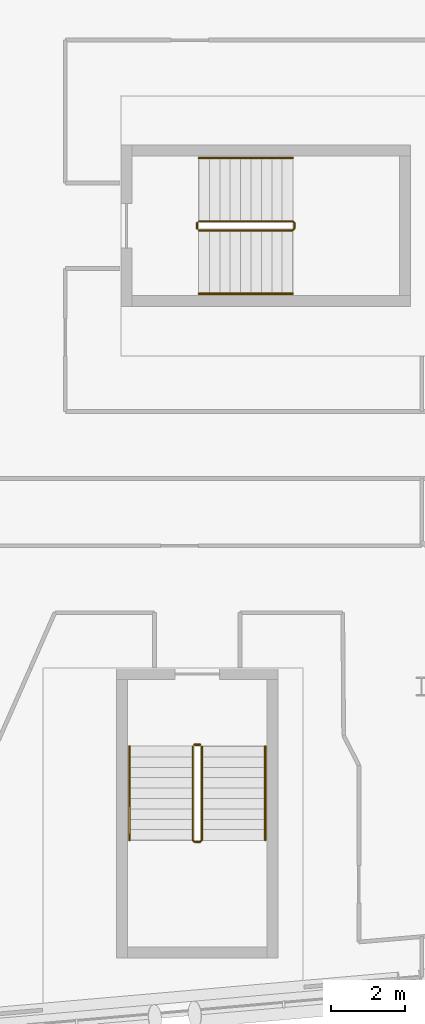
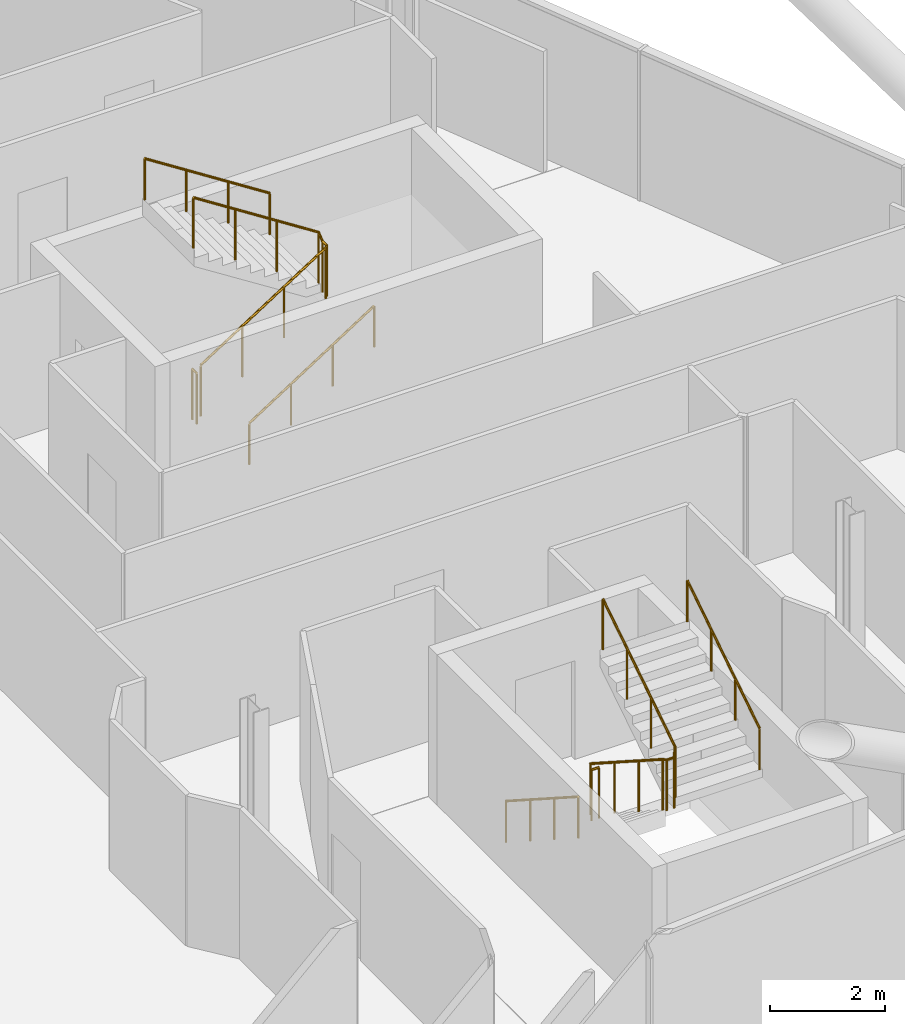
# One storey, part 26 of 27: 8 railings.
"""IFC4 building model written with IfcOpenShell, lengths in metres."""

from ifc_helpers import new_model, si_unit, direction, frame, origin, origin_2d, place, context, subcontext, project, spatial, circle, extrude, material, type_object, element, save


model = new_model("IFC4")

# Units and contexts
model_context = context("Model", 3, precision=1e-05, world=origin(), true_north=direction((0.0, 1.0)))
body_context = subcontext(model_context, "Body", "Model", "MODEL_VIEW")
ifc_project = project(units=[si_unit("LENGTHUNIT", "METRE"), si_unit("AREAUNIT", "SQUARE_METRE"), si_unit("VOLUMEUNIT", "CUBIC_METRE"), si_unit("PLANEANGLEUNIT", "RADIAN"), si_unit("MASSUNIT", "GRAM", prefix="KILO")], contexts=[model_context])

# Site, building, storey
site_placement = place(None, origin())
site = spatial("IfcSite", under=ifc_project, at=site_placement, CompositionType="ELEMENT")
building_placement = place(site_placement, origin())
building = spatial("IfcBuilding", under=site, at=building_placement, Name="Wharfspan Tower", CompositionType="ELEMENT")
storey_placement = place(building_placement, frame((0.0, 0.0, 191.5)))
storey = spatial("IfcBuildingStorey", under=building, at=storey_placement, Name="L47", CompositionType="ELEMENT", Elevation=191.5)

# Railings
ifc_material = material(Name="Steel S355J2", Category="steel")
railing_type_1 = type_object("IfcRailingType", Name="Stair guard 1100", PredefinedType="GUARDRAIL", material=ifc_material)
railing_1_placement = place(storey_placement, frame((65.836426, 9.883789, 0.179932)))
element("IfcRailing", 1, at=railing_1_placement, inside=storey, type_object=railing_type_1, Name="L47 ST5 stair guard 1", PredefinedType="GUARDRAIL", context=body_context, shape_type="SweptSolid", body=[
    extrude(circle(Radius=0.023926, at=origin_2d()), frame((0.0, 0.0, 1.076172), z_axis=(0.0, -0.841163, 0.540782), x_axis=(1.0, 0.0, 0.0)), (0.0, 0.0, 1.0), 2.99585),
    extrude(circle(Radius=0.023926, at=origin_2d()), frame((0.0, -2.52002, 2.696289), z_axis=(0.705376, -0.708834, 0.0), x_axis=(0.708834, 0.705376, 0.0)), (0.0, 0.0, 1.0), 0.070557),
    extrude(circle(Radius=0.023926, at=origin_2d()), frame((0.049805, -2.570068, 2.696289), z_axis=(1.0, 0.0, 0.0), x_axis=(0.0, 1.0, 0.0)), (0.0, 0.0, 1.0), 0.150146),
    extrude(circle(Radius=0.023926, at=origin_2d()), frame((0.199951, -2.570068, 2.696289), z_axis=(0.258848, 0.258848, 0.930589), x_axis=(-0.707107, 0.707107, 0.0)), (0.0, 0.0, 1.0), 0.193359),
    extrude(circle(Radius=0.023926, at=origin_2d()), frame((0.25, -2.52002, 2.875977), z_axis=(0.0, 0.841163, 0.540782), x_axis=(-1.0, 0.0, 0.0)), (0.0, 0.0, 1.0), 2.99585),
    extrude(circle(Radius=0.020996, at=origin_2d()), origin(), (0.0, 0.0, 1.0), 1.052002),
    extrude(circle(Radius=0.020996, at=origin_2d()), frame((0.0, -0.840088, 0.540039)), (0.0, 0.0, 1.0), 1.052002),
    extrude(circle(Radius=0.020996, at=origin_2d()), frame((0.0, -1.679932, 1.080078)), (0.0, 0.0, 1.0), 1.052002),
    extrude(circle(Radius=0.020996, at=origin_2d()), frame((0.0, -2.52002, 1.620117)), (0.0, 0.0, 1.0), 1.052002),
    extrude(circle(Radius=0.020996, at=origin_2d()), frame((0.049805, -2.570068, 1.620117)), (0.0, 0.0, 1.0), 1.052002),
    extrude(circle(Radius=0.020996, at=origin_2d()), frame((0.199951, -2.570068, 1.620117)), (0.0, 0.0, 1.0), 1.052002),
    extrude(circle(Radius=0.020996, at=origin_2d()), frame((0.25, -2.52002, 1.800049)), (0.0, 0.0, 1.0), 1.052002),
    extrude(circle(Radius=0.020996, at=origin_2d()), frame((0.25, -1.679932, 2.340088)), (0.0, 0.0, 1.0), 1.052002),
    extrude(circle(Radius=0.020996, at=origin_2d()), frame((0.25, -0.840088, 2.880127)), (0.0, 0.0, 1.0), 1.052002),
    extrude(circle(Radius=0.020996, at=origin_2d()), frame((0.25, 0.0, 3.420166)), (0.0, 0.0, 1.0), 1.052002),
])
railing_2_placement = place(storey_placement, frame((65.88623, 9.933594, 0.0)))
element("IfcRailing", 2, at=railing_2_placement, inside=storey, type_object=railing_type_1, Name="L47 ST5 stair guard 2", PredefinedType="GUARDRAIL", context=body_context, shape_type="SweptSolid", body=[
    extrude(circle(Radius=0.023926, at=origin_2d()), frame((0.0, 0.0, 1.076172), z_axis=(1.0, 0.0, 0.0), x_axis=(0.0, 1.0, 0.0)), (0.0, 0.0, 1.0), 0.150146),
    extrude(circle(Radius=0.020996, at=origin_2d()), origin(), (0.0, 0.0, 1.0), 1.052002),
    extrude(circle(Radius=0.020996, at=origin_2d()), frame((0.150146, 0.0, 0.0)), (0.0, 0.0, 1.0), 1.052002),
])
railing_3_placement = place(storey_placement, frame((66.004639, 23.774902, 0.179932)))
element("IfcRailing", 3, at=railing_3_placement, inside=storey, type_object=railing_type_1, Name="L47 ST6 stair guard 1", PredefinedType="GUARDRAIL", context=body_context, shape_type="SweptSolid", body=[
    extrude(circle(Radius=0.023926, at=origin_2d()), frame((0.0, 0.0, 1.076172), z_axis=(0.841163, 0.0, 0.540782), x_axis=(0.0, 1.0, 0.0)), (0.0, 0.0, 1.0), 2.99585),
    extrude(circle(Radius=0.023926, at=origin_2d()), frame((2.52002, 0.0, 2.696289), z_axis=(0.707107, 0.707107, 0.0), x_axis=(-0.707107, 0.707107, 0.0)), (0.0, 0.0, 1.0), 0.070801),
    extrude(circle(Radius=0.023926, at=origin_2d()), frame((2.570068, 0.050049, 2.696289), z_axis=(0.0, 1.0, 0.0), x_axis=(-1.0, 0.0, 0.0)), (0.0, 0.0, 1.0), 0.150146),
    extrude(circle(Radius=0.023926, at=origin_2d()), frame((2.570068, 0.200195, 2.696289), z_axis=(-0.258932, 0.257669, 0.930892), x_axis=(-0.705372, -0.708833, 1e-06)), (0.0, 0.0, 1.0), 0.193359),
    extrude(circle(Radius=0.023926, at=origin_2d()), frame((2.52002, 0.25, 2.875977), z_axis=(-0.841163, 0.0, 0.540782), x_axis=(0.0, -1.0, 0.0)), (0.0, 0.0, 1.0), 2.99585),
    extrude(circle(Radius=0.020996, at=origin_2d()), origin(), (0.0, 0.0, 1.0), 1.052002),
    extrude(circle(Radius=0.020996, at=origin_2d()), frame((0.840088, 0.0, 0.540039)), (0.0, 0.0, 1.0), 1.052002),
    extrude(circle(Radius=0.020996, at=origin_2d()), frame((1.679932, 0.0, 1.080078)), (0.0, 0.0, 1.0), 1.052002),
    extrude(circle(Radius=0.020996, at=origin_2d()), frame((2.52002, 0.0, 1.620117)), (0.0, 0.0, 1.0), 1.052002),
    extrude(circle(Radius=0.020996, at=origin_2d()), frame((2.570068, 0.050049, 1.620117)), (0.0, 0.0, 1.0), 1.052002),
    extrude(circle(Radius=0.020996, at=origin_2d()), frame((2.570068, 0.200195, 1.620117)), (0.0, 0.0, 1.0), 1.052002),
    extrude(circle(Radius=0.020996, at=origin_2d()), frame((2.52002, 0.25, 1.800049)), (0.0, 0.0, 1.0), 1.052002),
    extrude(circle(Radius=0.020996, at=origin_2d()), frame((1.679932, 0.25, 2.340088)), (0.0, 0.0, 1.0), 1.052002),
    extrude(circle(Radius=0.020996, at=origin_2d()), frame((0.840088, 0.25, 2.880127)), (0.0, 0.0, 1.0), 1.052002),
    extrude(circle(Radius=0.020996, at=origin_2d()), frame((0.0, 0.25, 3.420166)), (0.0, 0.0, 1.0), 1.052002),
])
railing_4_placement = place(storey_placement, frame((65.95459, 23.824951, 0.0)))
element("IfcRailing", 4, at=railing_4_placement, inside=storey, type_object=railing_type_1, Name="L47 ST6 stair guard 2", PredefinedType="GUARDRAIL", context=body_context, shape_type="SweptSolid", body=[
    extrude(circle(Radius=0.023926, at=origin_2d()), frame((0.0, 0.0, 1.076172), z_axis=(0.0, 1.0, 0.0), x_axis=(-1.0, 0.0, 0.0)), (0.0, 0.0, 1.0), 0.150146),
    extrude(circle(Radius=0.020996, at=origin_2d()), origin(), (0.0, 0.0, 1.0), 1.052002),
    extrude(circle(Radius=0.020996, at=origin_2d()), frame((0.0, 0.150146, 0.0)), (0.0, 0.0, 1.0), 1.052002),
])
railing_type_2 = type_object("IfcRailingType", Name="Stair handrail 900", PredefinedType="HANDRAIL", material=ifc_material)
railing_5_placement = place(storey_placement, frame((64.13623, 9.883789, 0.179932)))
element("IfcRailing", 5, at=railing_5_placement, inside=storey, type_object=railing_type_2, Name="L47 ST5 stair handrail 1", PredefinedType="HANDRAIL", context=body_context, shape_type="SweptSolid", body=[
    extrude(circle(Radius=0.023926, at=origin_2d()), frame((0.0, 0.0, 0.875977), z_axis=(0.0, -0.841163, 0.540782), x_axis=(1.0, 0.0, 0.0)), (0.0, 0.0, 1.0), 2.99585),
    extrude(circle(Radius=0.020996, at=origin_2d()), origin(), (0.0, 0.0, 1.0), 0.851807),
    extrude(circle(Radius=0.020996, at=origin_2d()), frame((0.0, -0.840088, 0.540039)), (0.0, 0.0, 1.0), 0.851807),
    extrude(circle(Radius=0.020996, at=origin_2d()), frame((0.0, -1.679932, 1.080078)), (0.0, 0.0, 1.0), 0.851807),
    extrude(circle(Radius=0.020996, at=origin_2d()), frame((0.0, -2.52002, 1.620117)), (0.0, 0.0, 1.0), 0.851807),
])
railing_6_placement = place(storey_placement, frame((67.786377, 7.36377, 1.97998)))
element("IfcRailing", 6, at=railing_6_placement, inside=storey, type_object=railing_type_2, Name="L47 ST5 stair handrail 2", PredefinedType="HANDRAIL", context=body_context, shape_type="SweptSolid", body=[
    extrude(circle(Radius=0.023926, at=origin_2d()), frame((0.0, 0.0, 0.875977), z_axis=(0.0, 0.841163, 0.540782), x_axis=(-1.0, 0.0, 0.0)), (0.0, 0.0, 1.0), 2.99585),
    extrude(circle(Radius=0.020996, at=origin_2d()), origin(), (0.0, 0.0, 1.0), 0.851807),
    extrude(circle(Radius=0.020996, at=origin_2d()), frame((0.0, 0.840088, 0.540039)), (0.0, 0.0, 1.0), 0.851807),
    extrude(circle(Radius=0.020996, at=origin_2d()), frame((0.0, 1.679932, 1.080078)), (0.0, 0.0, 1.0), 0.851807),
    extrude(circle(Radius=0.020996, at=origin_2d()), frame((0.0, 2.52002, 1.620117)), (0.0, 0.0, 1.0), 0.851807),
])
railing_7_placement = place(storey_placement, frame((66.004639, 22.074951, 0.179932)))
element("IfcRailing", 7, at=railing_7_placement, inside=storey, type_object=railing_type_2, Name="L47 ST6 stair handrail 1", PredefinedType="HANDRAIL", context=body_context, shape_type="SweptSolid", body=[
    extrude(circle(Radius=0.023926, at=origin_2d()), frame((0.0, 0.0, 0.875977), z_axis=(0.841163, 0.0, 0.540782), x_axis=(0.0, 1.0, 0.0)), (0.0, 0.0, 1.0), 2.99585),
    extrude(circle(Radius=0.020996, at=origin_2d()), origin(), (0.0, 0.0, 1.0), 0.851807),
    extrude(circle(Radius=0.020996, at=origin_2d()), frame((0.840088, 0.0, 0.540039)), (0.0, 0.0, 1.0), 0.851807),
    extrude(circle(Radius=0.020996, at=origin_2d()), frame((1.679932, 0.0, 1.080078)), (0.0, 0.0, 1.0), 0.851807),
    extrude(circle(Radius=0.020996, at=origin_2d()), frame((2.52002, 0.0, 1.620117)), (0.0, 0.0, 1.0), 0.851807),
])
railing_8_placement = place(storey_placement, frame((68.524658, 25.725098, 1.97998)))
element("IfcRailing", 8, at=railing_8_placement, inside=storey, type_object=railing_type_2, Name="L47 ST6 stair handrail 2", PredefinedType="HANDRAIL", context=body_context, shape_type="SweptSolid", body=[
    extrude(circle(Radius=0.023926, at=origin_2d()), frame((0.0, 0.0, 0.875977), z_axis=(-0.841163, 0.0, 0.540782), x_axis=(0.0, -1.0, 0.0)), (0.0, 0.0, 1.0), 2.99585),
    extrude(circle(Radius=0.020996, at=origin_2d()), origin(), (0.0, 0.0, 1.0), 0.851807),
    extrude(circle(Radius=0.020996, at=origin_2d()), frame((-0.840088, 0.0, 0.540039)), (0.0, 0.0, 1.0), 0.851807),
    extrude(circle(Radius=0.020996, at=origin_2d()), frame((-1.679932, 0.0, 1.080078)), (0.0, 0.0, 1.0), 0.851807),
    extrude(circle(Radius=0.020996, at=origin_2d()), frame((-2.52002, 0.0, 1.620117)), (0.0, 0.0, 1.0), 0.851807),
])

save(model, "model.ifc")
